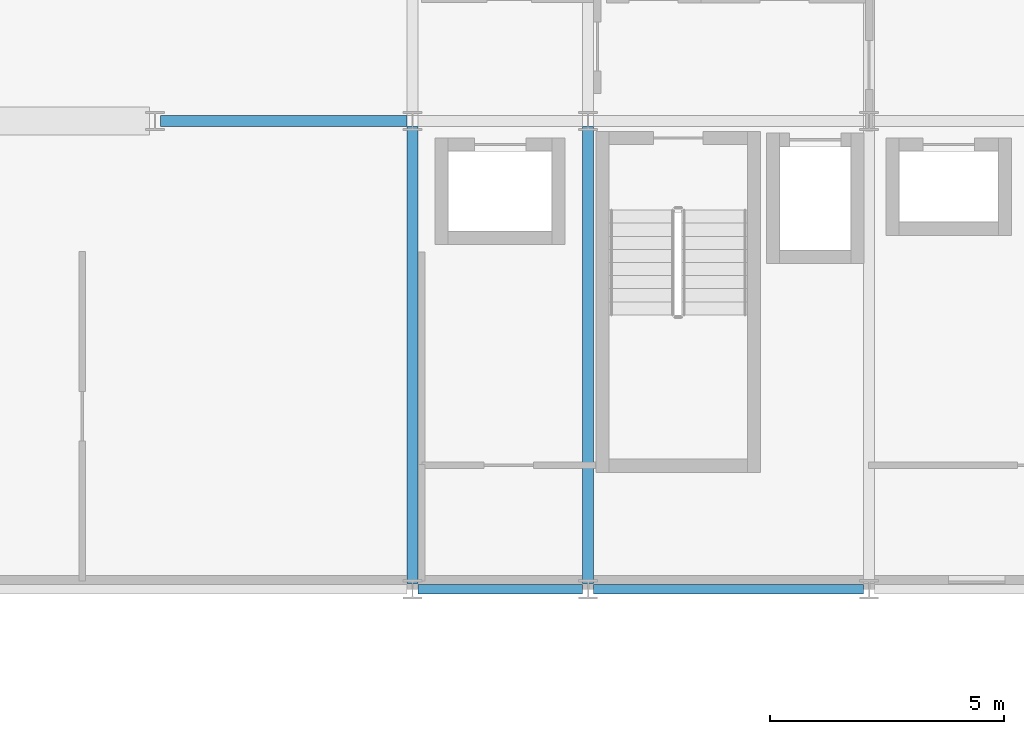
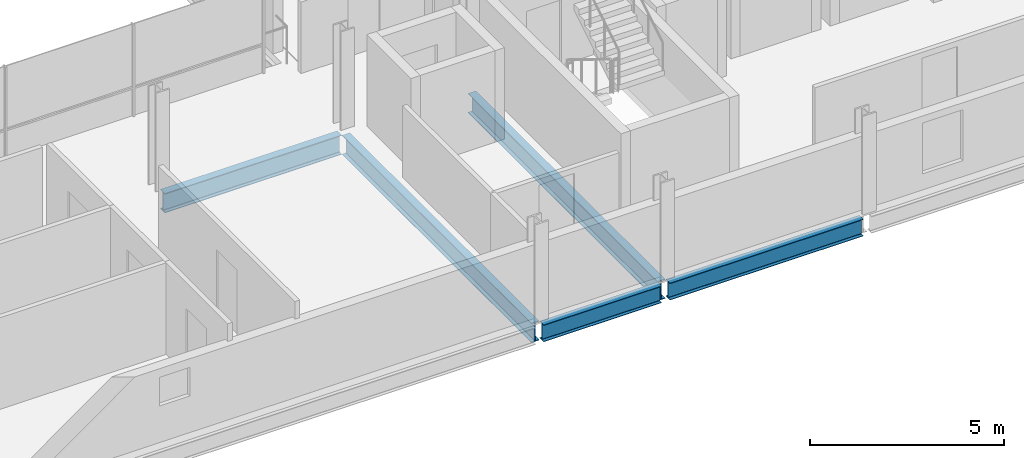
# One storey, part 14 of 41: 5 beams.
"""IFC4 building model written with IfcOpenShell, lengths in metres."""

import ifcopenshell
import ifcopenshell.guid

model = None  # the IFC model being written
_history = None  # IfcOwnerHistory: only IFC2X3 demands one
_inside = {}  # id of a spatial element -> (the spatial element, [elements in it])
_under = {}  # id of a project, library or spatial element -> (it, [spatial elements below it])
_declared = {}  # id of a project -> (the project, [libraries it declares])
_typed = {}  # id of a type object -> (the type object, [elements of that type])
_made_of = {}  # id of a material, layer set ... -> (it, [elements and type objects made of it])


def new_model(schema):
    """Start an empty IFC model of exactly this schema.

    Asked for "IFC4X3", IfcOpenShell would pick the latest addendum, in which some entities
    have other attributes; the version numbers below select the first issue.
    IFC2X3 requires an IfcOwnerHistory on every rooted entity: one is made here for all.
    """
    global model, _history
    if schema == "IFC4X3":
        model = ifcopenshell.file(schema_version=(4, 3, 0, 0))
    else:
        model = ifcopenshell.file(schema=schema)
    _inside.clear()
    _under.clear()
    _declared.clear()
    _typed.clear()
    _made_of.clear()
    _history = None
    if model.schema == "IFC2X3":
        org = make("IfcOrganization", Name="unknown")
        user = make(
            "IfcPersonAndOrganization",
            ThePerson=make("IfcPerson", FamilyName="unknown"),
            TheOrganization=org,
        )
        app = make(
            "IfcApplication",
            ApplicationDeveloper=org,
            Version="unknown",
            ApplicationFullName="unknown",
            ApplicationIdentifier="unknown",
        )
        _history = make(
            "IfcOwnerHistory",
            OwningUser=user,
            OwningApplication=app,
            ChangeAction="ADDED",
            CreationDate=0,
        )
    return model


def make(cls, **values):
    """One entity of the class cls with the attributes given. An attribute that is None is left unset."""
    return model.create_entity(
        cls, **{name: value for name, value in values.items() if value is not None}
    )


def rooted(cls, **values):
    """An entity with a GlobalId (a new one), such as an element, a storey or a relation."""
    return make(cls, GlobalId=ifcopenshell.guid.new(), OwnerHistory=_history, **values)


def si_unit(unit_type, name, prefix=None):
    """IfcSIUnit, for example si_unit("LENGTHUNIT", "METRE", prefix="MILLI")."""
    return make("IfcSIUnit", UnitType=unit_type, Prefix=prefix, Name=name)


def assignment(units):
    """IfcUnitAssignment: the units of a project."""
    return None if units is None else make("IfcUnitAssignment", Units=units)


def point(xyz):
    """IfcCartesianPoint."""
    return None if xyz is None else make("IfcCartesianPoint", Coordinates=xyz)


def direction(xyz):
    """IfcDirection."""
    return None if xyz is None else make("IfcDirection", DirectionRatios=xyz)


def frame(location, z_axis=None, x_axis=None):
    """IfcAxis2Placement3D, a coordinate frame: its origin and axes. An axis left out is left unset."""
    return make(
        "IfcAxis2Placement3D",
        Location=point(location),
        Axis=direction(z_axis),
        RefDirection=direction(x_axis),
    )


def frame_2d(location, x_axis=None):
    """IfcAxis2Placement2D, a coordinate frame in the plane: its origin and x axis."""
    return make(
        "IfcAxis2Placement2D", Location=point(location), RefDirection=direction(x_axis)
    )


def origin():
    """The frame at (0, 0, 0) with its axes left unset."""
    return frame((0.0, 0.0, 0.0))


def origin_2d():
    """The frame at (0, 0) in the plane with its x axis left unset."""
    return frame_2d((0.0, 0.0))


def place(relative_to, where):
    """IfcLocalPlacement: puts the frame where relative to a parent placement (None: the world)."""
    return make(
        "IfcLocalPlacement", PlacementRelTo=relative_to, RelativePlacement=where
    )


def context(
    kind, dimensions, precision=None, world=None, true_north=None, identifier=None
):
    """IfcGeometricRepresentationContext, for example the 3D "Model" context."""
    return make(
        "IfcGeometricRepresentationContext",
        ContextIdentifier=identifier,
        ContextType=kind,
        CoordinateSpaceDimension=dimensions,
        Precision=precision,
        WorldCoordinateSystem=world,
        TrueNorth=true_north,
    )


def subcontext(parent, identifier, kind, view, scale=None):
    """IfcGeometricRepresentationSubContext, for example "Body" below "Model"."""
    return make(
        "IfcGeometricRepresentationSubContext",
        ContextIdentifier=identifier,
        ContextType=kind,
        ParentContext=parent,
        TargetScale=scale,
        TargetView=view,
    )


def project(units=None, contexts=None):
    """IfcProject with its units and contexts."""
    return rooted(
        "IfcProject",
        Name="project",
        RepresentationContexts=contexts,
        UnitsInContext=assignment(units),
    )


def spatial(cls, under=None, at=None, **own):
    """A site, building, storey or space (cls), placed at a placement, below another one or the project."""
    s = rooted(cls, ObjectPlacement=at, **own)
    if under is not None:
        _under.setdefault(under.id(), (under, []))[1].append(s)
    return s


def profile(cls, at=None, kind="AREA", **sizes):
    """A parametric profile (cls). Its sizes go by their IFC names, for example OverallWidth=200.0."""
    return make(cls, ProfileType=kind, Position=at, **sizes)


def i_section(**sizes):
    """IfcIShapeProfileDef."""
    return profile("IfcIShapeProfileDef", **sizes)


def extrude(swept, where, along, depth):
    """IfcExtrudedAreaSolid: the profile swept, set in the frame where, extruded along a direction by depth."""
    return make(
        "IfcExtrudedAreaSolid",
        SweptArea=swept,
        Position=where,
        ExtrudedDirection=direction(along),
        Depth=depth,
    )


def shape(context_of_items, identifier, shape_type, items):
    """IfcShapeRepresentation: the items that make up one representation, for example the "Body"."""
    return make(
        "IfcShapeRepresentation",
        ContextOfItems=context_of_items,
        RepresentationIdentifier=identifier,
        RepresentationType=shape_type,
        Items=items,
    )


def material(Name=None, Category=None):
    """IfcMaterial."""
    return make("IfcMaterial", Name=Name, Category=Category)


def material_profile(
    of_material, cross_section, Name=None, Category=None, Priority=None
):
    """IfcMaterialProfile: a cross section and its material."""
    return make(
        "IfcMaterialProfile",
        Name=Name,
        Material=of_material,
        Profile=cross_section,
        Priority=Priority,
        Category=Category,
    )


def profile_set(profiles, Name=None, composite=None):
    """IfcMaterialProfileSet."""
    return make(
        "IfcMaterialProfileSet",
        Name=Name,
        MaterialProfiles=profiles,
        CompositeProfile=composite,
    )


def made_of(thing, what):
    """Note that an element or type object is made of a material, layer set ...; save() writes the relation."""
    if what is not None:
        _made_of.setdefault(what.id(), (what, []))[1].append(thing)
    return thing


def type_object(cls, material=None, **own):
    """A type object (cls), such as IfcWallType, which elements share."""
    return made_of(rooted(cls, **own), material)


def element(
    cls,
    number,
    at=None,
    inside=None,
    cuts=None,
    type_object=None,
    material=None,
    context=None,
    identifier="Body",
    shape_type=None,
    held_by="IfcProductDefinitionShape",
    body=None,
    shapes=None,
    **own,
):
    """One element of the class cls, such as IfcWall. Its Tag is "e" and its number.

    at: its placement. inside: the storey or other place that contains it. cuts: it is an
    opening in that element (IfcRelVoidsElement). A single representation is given by context,
    identifier, shape_type and body (its items); several are given by shapes. held_by: the class
    of the entity that holds the representations. save() writes the other relations.
    """
    e = rooted(cls, Tag="e%d" % number, ObjectPlacement=at, **own)
    if body is not None:
        shapes = [shape(context, identifier, shape_type, body)]
    if shapes is not None:
        e.Representation = make(held_by, Representations=shapes)
    if inside is not None:
        _inside.setdefault(inside.id(), (inside, []))[1].append(e)
    if cuts is not None:
        rooted(
            "IfcRelVoidsElement", RelatingBuildingElement=cuts, RelatedOpeningElement=e
        )
    if type_object is not None:
        _typed.setdefault(type_object.id(), (type_object, []))[1].append(e)
    return made_of(e, material)


def aggregate(whole, parts):
    """IfcRelAggregates: a whole, such as a stair, and the parts it consists of."""
    return rooted("IfcRelAggregates", RelatingObject=whole, RelatedObjects=parts)


def save(model, path):
    """Write the relations noted so far, then the file.

    IfcRelAggregates (storeys below a building ...), IfcRelContainedInSpatialStructure (elements
    in a storey), IfcRelDefinesByType, IfcRelAssociatesMaterial and IfcRelDeclares: one each for
    every whole, place, type object, material and project.
    """
    for whole, parts in _under.values():
        aggregate(whole, parts)
    for where, things in _inside.values():
        rooted(
            "IfcRelContainedInSpatialStructure",
            RelatedElements=things,
            RelatingStructure=where,
        )
    for kind, things in _typed.values():
        rooted("IfcRelDefinesByType", RelatedObjects=things, RelatingType=kind)
    for what, things in _made_of.values():
        rooted("IfcRelAssociatesMaterial", RelatedObjects=things, RelatingMaterial=what)
    for by, libraries in _declared.values():
        rooted("IfcRelDeclares", RelatingContext=by, RelatedDefinitions=libraries)
    model.write(path)


model = new_model("IFC4")

# Units and contexts
model_context = context("Model", 3, precision=1e-05, world=origin(), true_north=direction((0.0, 1.0)))
body_context = subcontext(model_context, "Body", "Model", "MODEL_VIEW")
ifc_project = project(units=[si_unit("LENGTHUNIT", "METRE"), si_unit("AREAUNIT", "SQUARE_METRE"), si_unit("VOLUMEUNIT", "CUBIC_METRE"), si_unit("PLANEANGLEUNIT", "RADIAN"), si_unit("MASSUNIT", "GRAM", prefix="KILO")], contexts=[model_context])

# Site, building, storey
site_placement = place(None, origin())
site = spatial("IfcSite", under=ifc_project, at=site_placement, CompositionType="ELEMENT")
building_placement = place(site_placement, origin())
building = spatial("IfcBuilding", under=site, at=building_placement, Name="Brevholm Reach", CompositionType="ELEMENT")
storey_placement = place(building_placement, frame((0.0, 0.0, 138.699951171875)))
storey = spatial("IfcBuildingStorey", under=building, at=storey_placement, Name="L41", CompositionType="ELEMENT", Elevation=138.699951171875)

# Beams
ifc_material_1 = material(Name="Structural Steel S355J2", Category="steel")
ifc_material_profile_1 = material_profile(ifc_material_1, i_section(OverallWidth=0.209228515625, OverallDepth=0.533203125, WebThickness=0.010009765625, FlangeThickness=0.015625, FilletRadius=0.0126953125, at=origin_2d()), Name="UKB 533x210x92")
ifc_profile_set_1 = profile_set([ifc_material_profile_1], Name="Structural Steel S355J2")
beam_type_1 = type_object("IfcBeamType", Name="BM-SP533", PredefinedType="SPANDREL", material=ifc_profile_set_1)
beam_1_placement = place(storey_placement, frame((38.3701171875, 0.0, -0.486572265625), z_axis=(1.0, 0.0, 0.0), x_axis=(0.0, 1.0, 0.0)))
element("IfcBeam", 1, at=beam_1_placement, inside=storey, type_object=beam_type_1, Name="L41 SP-02 Framing Beam", PredefinedType="SPANDREL", context=body_context, shape_type="SweptSolid", body=[
    extrude(i_section(OverallWidth=0.209228515625, OverallDepth=0.533203125, WebThickness=0.010009765625, FlangeThickness=0.015625, FilletRadius=0.0126953125, at=origin_2d()), origin(), (0.0, 0.0, 1.0), 3.509765625),
])
beam_2_placement = place(storey_placement, frame((42.1201171875, 0.0, -0.486572265625), z_axis=(1.0, 0.0, 0.0), x_axis=(0.0, 1.0, 0.0)))
element("IfcBeam", 2, at=beam_2_placement, inside=storey, type_object=beam_type_1, Name="L41 SP-02 Framing Beam", PredefinedType="SPANDREL", context=body_context, shape_type="SweptSolid", body=[
    extrude(i_section(OverallWidth=0.209228515625, OverallDepth=0.533203125, WebThickness=0.010009765625, FlangeThickness=0.015625, FilletRadius=0.0126953125, at=origin_2d()), origin(), (0.0, 0.0, 1.0), 5.759765625),
])
ifc_material_2 = material(Name="Structural Steel S355J2", Category="steel")
ifc_material_profile_2 = material_profile(ifc_material_2, i_section(OverallWidth=0.22900390625, OverallDepth=0.6123046875, WebThickness=0.011962890625, FlangeThickness=0.01953125, FilletRadius=0.0126953125, at=origin_2d()), Name="UKB 610x229x125")
ifc_profile_set_2 = profile_set([ifc_material_profile_2], Name="Structural Steel S355J2")
beam_type_2 = type_object("IfcBeamType", Name="BM-SP610", PredefinedType="SPANDREL", material=ifc_profile_set_2)
beam_3_placement = place(storey_placement, frame((32.8701171875, 10.0, -0.526123046875), z_axis=(1.0, 0.0, 0.0), x_axis=(0.0, 1.0, 0.0)))
element("IfcBeam", 3, at=beam_3_placement, inside=storey, type_object=beam_type_2, Name="L41 SP-01 Framing Beam", PredefinedType="SPANDREL", context=body_context, shape_type="SweptSolid", body=[
    extrude(i_section(OverallWidth=0.22900390625, OverallDepth=0.6123046875, WebThickness=0.011962890625, FlangeThickness=0.01953125, FilletRadius=0.0126953125, at=origin_2d()), origin(), (0.0, 0.0, 1.0), 5.259765625),
])
for number, where, z_axis, x_axis, name in (
    (4, (38.25, 0.1201171875, -0.526123046875), (0.0, 1.0, 0.0), (-1.0, 0.0, 0.0), "L41 SP-01 Framing Beam"),
    (5, (42.0, 0.1201171875, -0.526123046875), (0.0, 1.0, 0.0), (-1.0, 0.0, 0.0), "L41 SP-01 Framing Beam"),
):
    element("IfcBeam", number, at=place(storey_placement, frame(where, z_axis=z_axis, x_axis=x_axis)), inside=storey, type_object=beam_type_2, Name=name, PredefinedType="SPANDREL", context=body_context, shape_type="SweptSolid", body=[
        extrude(i_section(OverallWidth=0.22900390625, OverallDepth=0.6123046875, WebThickness=0.011962890625, FlangeThickness=0.01953125, FilletRadius=0.0126953125, at=origin_2d()), origin(), (0.0, 0.0, 1.0), 9.759765625),
    ])

save(model, "model.ifc")
